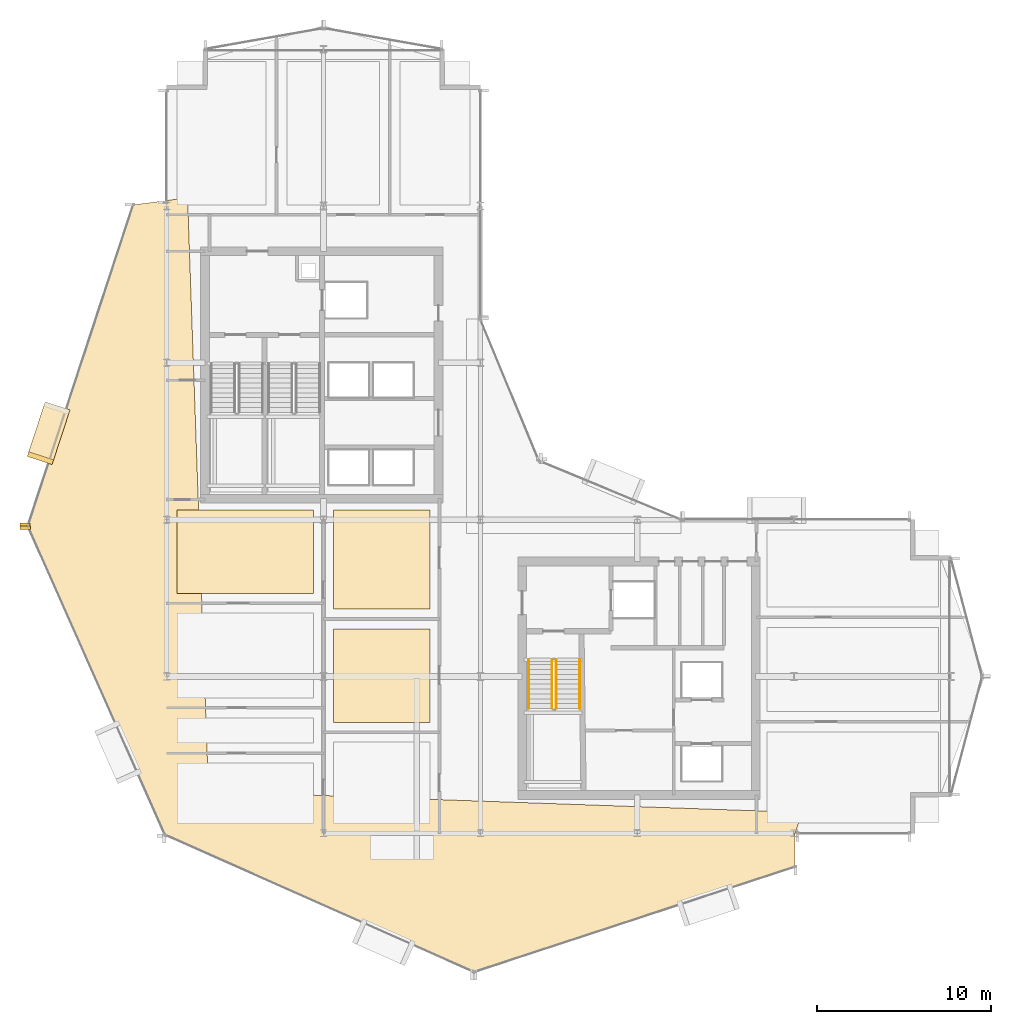
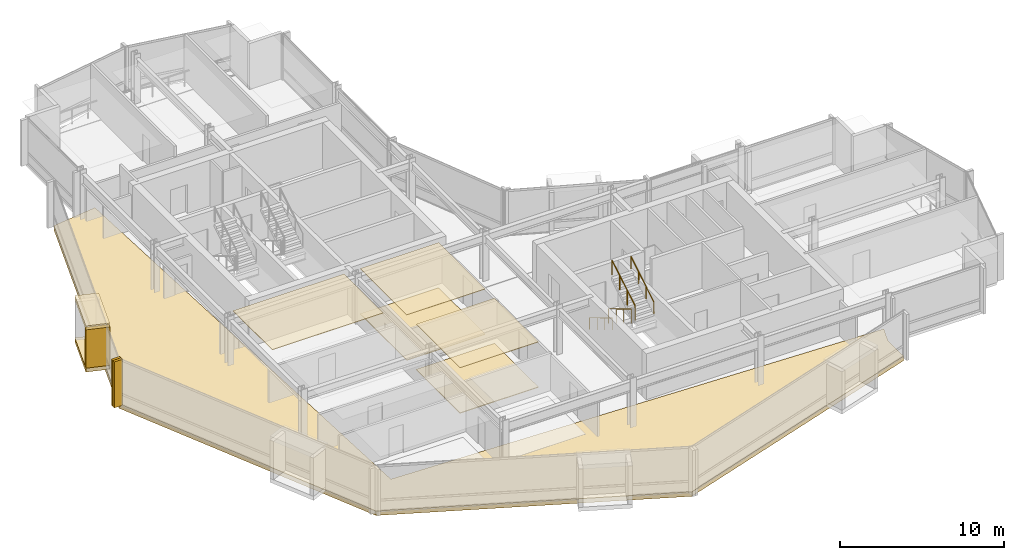
# One storey, part 26 of 29: 11 coverings, 4 railings.
"""IFC4 building model written with IfcOpenShell, lengths in metres."""

from ifc_helpers import new_model, si_unit, direction, frame, origin, origin_2d, place, context, subcontext, project, spatial, polyline, rectangle, circle, outline, extrude, material, layer, layer_set, type_object, element, save


model = new_model("IFC4")

# Units and contexts
model_context = context("Model", 3, precision=1e-05, world=origin(), true_north=direction((0.0, 1.0)))
body_context = subcontext(model_context, "Body", "Model", "MODEL_VIEW")
ifc_project = project(units=[si_unit("LENGTHUNIT", "METRE"), si_unit("AREAUNIT", "SQUARE_METRE"), si_unit("VOLUMEUNIT", "CUBIC_METRE"), si_unit("PLANEANGLEUNIT", "RADIAN"), si_unit("MASSUNIT", "GRAM", prefix="KILO")], contexts=[model_context])

# Site, building, storey
site_placement = place(None, origin())
site = spatial("IfcSite", under=ifc_project, at=site_placement, CompositionType="ELEMENT")
building_placement = place(site_placement, origin())
building = spatial("IfcBuilding", under=site, at=building_placement, Name="Solvaryn Broadcast Tower", CompositionType="ELEMENT")
storey_placement = place(building_placement, frame((0.0, 0.0, 161.800048828125)))
storey = spatial("IfcBuildingStorey", under=building, at=storey_placement, Name="L40", CompositionType="ELEMENT", Elevation=161.800048828125)

# Coverings
ifc_material_1 = material(Name="Micro-Perforated Acoustic Gypsum Ceiling", Category="concrete")
ifc_layer_1 = layer(ifc_material_1, 0.0400390625)
ifc_layer_set_1 = layer_set([ifc_layer_1], Name="CV-CEIL-ACOUSTIC")
covering_type_1 = type_object("IfcCoveringType", Name="CV-CEIL-ACOUSTIC", PredefinedType="CEILING", material=ifc_layer_set_1)
covering_1_placement = place(storey_placement, frame((0.0, 0.0, 3.3798828125)))
element("IfcCovering", 1, at=covering_1_placement, inside=storey, type_object=covering_type_1, Name="L40 Room Acoustic Ceiling 2", PredefinedType="CEILING", context=body_context, shape_type="SweptSolid", body=[
    extrude(outline(polyline([(18.570068359375, 15.3701171875), (24.10009765625, 15.3701171875), (24.10009765625, 20.72998046875), (18.570068359375, 20.72998046875), (18.570068359375, 15.3701171875)])), origin(), (0.0, 0.0, 1.0), 0.0400390625),
])
covering_2_placement = place(storey_placement, frame((0.0, 0.0, 3.3798828125)))
element("IfcCovering", 2, at=covering_2_placement, inside=storey, type_object=covering_type_1, Name="L40 Room Acoustic Ceiling 3", PredefinedType="CEILING", context=body_context, shape_type="SweptSolid", body=[
    extrude(outline(polyline([(18.570068359375, 21.8701171875), (24.10009765625, 21.8701171875), (24.10009765625, 27.56005859375), (18.570068359375, 27.56005859375), (18.570068359375, 21.8701171875)])), origin(), (0.0, 0.0, 1.0), 0.0400390625),
])
covering_3_placement = place(storey_placement, frame((0.0, 0.0, 3.3798828125)))
element("IfcCovering", 3, at=covering_3_placement, inside=storey, type_object=covering_type_1, Name="L40 Room Acoustic Ceiling 7", PredefinedType="CEILING", context=body_context, shape_type="SweptSolid", body=[
    extrude(outline(polyline([(9.60009765625, 22.77001953125), (17.429931640625, 22.77001953125), (17.429931640625, 27.56005859375), (9.60009765625, 27.56005859375), (9.60009765625, 22.77001953125)])), origin(), (0.0, 0.0, 1.0), 0.0400390625),
])
ifc_material_2 = material(Name="Newsroom Raised Data Access Flooring", Category="steel")
ifc_layer_2 = layer(ifc_material_2, 0.050048828125)
ifc_layer_set_2 = layer_set([ifc_layer_2], Name="CV-FLOOR-RAISED")
covering_type_2 = type_object("IfcCoveringType", Name="CV-FLOOR-RAISED", PredefinedType="FLOORING", material=ifc_layer_set_2)
covering_4_placement = place(storey_placement, origin())
element("IfcCovering", 4, at=covering_4_placement, inside=storey, type_object=covering_type_2, Name="L40 Room Acoustic Floor Finish 2", PredefinedType="FLOORING", context=body_context, shape_type="SweptSolid", body=[
    extrude(outline(polyline([(18.570068359375, 15.3701171875), (24.10009765625, 15.3701171875), (24.10009765625, 20.72998046875), (18.570068359375, 20.72998046875), (18.570068359375, 15.3701171875)])), origin(), (0.0, 0.0, 1.0), 0.050048828125),
])
covering_5_placement = place(storey_placement, origin())
element("IfcCovering", 5, at=covering_5_placement, inside=storey, type_object=covering_type_2, Name="L40 Room Acoustic Floor Finish 3", PredefinedType="FLOORING", context=body_context, shape_type="SweptSolid", body=[
    extrude(outline(polyline([(18.570068359375, 21.8701171875), (24.10009765625, 21.8701171875), (24.10009765625, 27.56005859375), (18.570068359375, 27.56005859375), (18.570068359375, 21.8701171875)])), origin(), (0.0, 0.0, 1.0), 0.050048828125),
])
ifc_material_3 = material(Name="Glazed Architectural Terracotta Rainscreen Cladding", Category="masonry")
ifc_layer_3 = layer(ifc_material_3, 0.280029296875)
ifc_layer_set_3 = layer_set([ifc_layer_3], Name="CV-TC-CLAD")
covering_type_3 = type_object("IfcCoveringType", Name="CV-TC-CLAD", PredefinedType="CLADDING", material=ifc_layer_set_3)
for number, where, z_axis, x_axis, name in (
    (6, (2.222900390625, 31.9619140625, 3.1298828125), (0.0, 0.0, 1.0), (-0.311671636848, -0.950189870912, 0.0), "L40 Projecting Stone Window Box Hood 1"),
    (7, (2.222900390625, 31.9619140625, -0.01025390625), (0.0, 0.0, 1.0), (-0.311671636848, -0.950189870912, 0.0), "L40 Projecting Stone Window Box Sill 1"),
):
    element("IfcCovering", number, at=place(storey_placement, frame(where, z_axis=z_axis, x_axis=x_axis)), inside=storey, type_object=covering_type_3, Name=name, PredefinedType="CLADDING", context=body_context, shape_type="SweptSolid", body=[
        extrude(rectangle(XDim=3.300048828125, YDim=1.5, at=origin_2d()), origin(), (0.0, 0.0, 1.0), 0.300048828125),
    ])
covering_6_placement = place(storey_placement, frame((1.75244140625, 30.527099609375, 0.27978515625), z_axis=(0.0, 0.0, 1.0), x_axis=(-0.311671636848, -0.950189870912, 0.0)))
element("IfcCovering", 8, at=covering_6_placement, inside=storey, type_object=covering_type_3, Name="L40 Projecting Stone Window Box Cheek 1-2", PredefinedType="CLADDING", context=body_context, shape_type="SweptSolid", body=[
    extrude(rectangle(XDim=0.280029296875, YDim=1.5, at=origin_2d()), origin(), (0.0, 0.0, 1.0), 2.860107421875),
])
ifc_material_4 = material(Name="Extruded Architectural Terracotta Fin", Category="masonry")
ifc_layer_4 = layer(ifc_material_4, 0.179931640625)
ifc_layer_set_4 = layer_set([ifc_layer_4], Name="CV-TC-FIN")
covering_type_4 = type_object("IfcCoveringType", Name="CV-TC-FIN", PredefinedType="USERDEFINED", material=ifc_layer_set_4)
for number, where, z_axis, x_axis, name in (
    (9, (0.872314453125, 26.720703125, 0.0), (0.0, 0.0, 1.0), (1.0, 0.0, 0.0), "L40 Terracotta Vertical Fin FIN-L40-DR1-M01"),
    (10, (0.8818359375, 26.535888671875, 0.0), (0.0, 0.0, 1.0), (1.0, 0.0, 0.0), "L40 Terracotta Vertical Fin FIN-L40-DR2-M00"),
):
    element("IfcCovering", number, at=place(storey_placement, frame(where, z_axis=z_axis, x_axis=x_axis)), inside=storey, type_object=covering_type_4, Name=name, ObjectType="FIN", PredefinedType="USERDEFINED", context=body_context, shape_type="SweptSolid", body=[
        extrude(rectangle(XDim=0.580078125, YDim=0.179931640625, at=origin_2d()), origin(), (0.0, 0.0, 1.0), 3.419921875),
    ])
ifc_material_5 = material(Name="Sculpted Architectural Terracotta Wave Fascia", Category="masonry")
ifc_layer_5 = layer(ifc_material_5, 0.340087890625)
ifc_layer_set_5 = layer_set([ifc_layer_5], Name="CV-WAVE-TRAY")
covering_type_5 = type_object("IfcCoveringType", Name="CV-WAVE-TRAY", PredefinedType="CLADDING", material=ifc_layer_set_5)
covering_7_placement = place(storey_placement, frame((0.0, 0.0, -0.300048828125)))
element("IfcCovering", 11, at=covering_7_placement, inside=storey, type_object=covering_type_5, Name="L40 Stepped Cylindrical Drum Floor Apron", PredefinedType="CLADDING", context=body_context, shape_type="SweptSolid", body=[
    extrude(outline(polyline([(10.199951171875, 45.467041015625), (7.0791015625, 45.06689453125), (1.033935546875, 26.635986328125), (8.907958984375, 8.907958984375), (26.635986328125, 1.033935546875), (45.06689453125, 7.0791015625), (45.06689453125, 9.0), (45.467041015625, 10.199951171875), (11.39990234375, 11.39990234375), (10.199951171875, 45.467041015625)])), origin(), (0.0, 0.0, 1.0), 0.330078125),
])

# Railings
ifc_material_6 = material(Name="Painted Steel Stair Well Guard", Category="steel")
railing_type_1 = type_object("IfcRailingType", Name="RL-STAIR-GUARD", PredefinedType="BALUSTRADE", material=ifc_material_6)
railing_1_placement = place(storey_placement, frame((31.110107421875, 18.9599609375, 0.168212890625)))
element("IfcRailing", 12, at=railing_1_placement, inside=storey, type_object=railing_type_1, Name="L40 ST3 stair guard 1", PredefinedType="BALUSTRADE", context=body_context, shape_type="SweptSolid", body=[
    extrude(circle(Radius=0.02392578125, at=origin_2d()), frame((0.0, 0.0, 1.076171875), z_axis=(0.0, -0.857275202839, 0.514858452973), x_axis=(1.0, 0.0, 0.0)), (0.0, 0.0, 1.0), 3.26611328125),
    extrude(circle(Radius=0.02099609375, at=origin_2d()), origin(), (0.0, 0.0, 1.0), 1.052001953125),
    extrude(circle(Radius=0.02099609375, at=origin_2d()), frame((0.0, -0.933349609375, 0.560546875)), (0.0, 0.0, 1.0), 1.052001953125),
    extrude(circle(Radius=0.02099609375, at=origin_2d()), frame((0.0, -1.86669921875, 1.12109375)), (0.0, 0.0, 1.0), 1.052001953125),
    extrude(circle(Radius=0.02099609375, at=origin_2d()), frame((0.0, -2.800048828125, 1.681640625)), (0.0, 0.0, 1.0), 1.052001953125),
])
railing_2_placement = place(storey_placement, frame((31.360107421875, 16.159912109375, 2.01806640625)))
element("IfcRailing", 13, at=railing_2_placement, inside=storey, type_object=railing_type_1, Name="L40 ST3 stair guard 3", PredefinedType="BALUSTRADE", context=body_context, shape_type="SweptSolid", body=[
    extrude(circle(Radius=0.02392578125, at=origin_2d()), frame((0.0, 0.0, 1.076171875), z_axis=(0.0, 0.857242210791, 0.514913383045), x_axis=(-1.0, 0.0, 0.0)), (0.0, 0.0, 1.0), 3.266357421875),
    extrude(circle(Radius=0.02099609375, at=origin_2d()), origin(), (0.0, 0.0, 1.0), 1.052001953125),
    extrude(circle(Radius=0.02099609375, at=origin_2d()), frame((0.0, 0.933349609375, 0.560546875)), (0.0, 0.0, 1.0), 1.052001953125),
    extrude(circle(Radius=0.02099609375, at=origin_2d()), frame((0.0, 1.86669921875, 1.121337890625)), (0.0, 0.0, 1.0), 1.052001953125),
    extrude(circle(Radius=0.02099609375, at=origin_2d()), frame((0.0, 2.800048828125, 1.681884765625)), (0.0, 0.0, 1.0), 1.052001953125),
])
ifc_material_7 = material(Name="Brushed Stainless Steel Tubular Handrail", Category="steel")
railing_type_2 = type_object("IfcRailingType", Name="RL-STAIR-HANDRAIL", PredefinedType="HANDRAIL", material=ifc_material_7)
railing_3_placement = place(storey_placement, frame((29.77001953125, 18.9599609375, 0.168212890625)))
element("IfcRailing", 14, at=railing_3_placement, inside=storey, type_object=railing_type_2, Name="L40 ST3 stair handrail 1", PredefinedType="HANDRAIL", context=body_context, shape_type="SweptSolid", body=[
    extrude(circle(Radius=0.02392578125, at=origin_2d()), frame((0.0, 0.0, 0.8759765625), z_axis=(0.0, -0.857275202839, 0.514858452973), x_axis=(1.0, 0.0, 0.0)), (0.0, 0.0, 1.0), 3.26611328125),
    extrude(circle(Radius=0.02099609375, at=origin_2d()), origin(), (0.0, 0.0, 1.0), 0.851806640625),
    extrude(circle(Radius=0.02099609375, at=origin_2d()), frame((0.0, -0.933349609375, 0.560546875)), (0.0, 0.0, 1.0), 0.851806640625),
    extrude(circle(Radius=0.02099609375, at=origin_2d()), frame((0.0, -1.86669921875, 1.12109375)), (0.0, 0.0, 1.0), 0.851806640625),
    extrude(circle(Radius=0.02099609375, at=origin_2d()), frame((0.0, -2.800048828125, 1.681640625)), (0.0, 0.0, 1.0), 0.851806640625),
])
railing_4_placement = place(storey_placement, frame((32.699951171875, 16.159912109375, 2.01806640625)))
element("IfcRailing", 15, at=railing_4_placement, inside=storey, type_object=railing_type_2, Name="L40 ST3 stair handrail 2", PredefinedType="HANDRAIL", context=body_context, shape_type="SweptSolid", body=[
    extrude(circle(Radius=0.02392578125, at=origin_2d()), frame((0.0, 0.0, 0.8759765625), z_axis=(0.0, 0.857242210791, 0.514913383045), x_axis=(-1.0, 0.0, 0.0)), (0.0, 0.0, 1.0), 3.266357421875),
    extrude(circle(Radius=0.02099609375, at=origin_2d()), origin(), (0.0, 0.0, 1.0), 0.851806640625),
    extrude(circle(Radius=0.02099609375, at=origin_2d()), frame((0.0, 0.933349609375, 0.560546875)), (0.0, 0.0, 1.0), 0.851806640625),
    extrude(circle(Radius=0.02099609375, at=origin_2d()), frame((0.0, 1.86669921875, 1.121337890625)), (0.0, 0.0, 1.0), 0.851806640625),
    extrude(circle(Radius=0.02099609375, at=origin_2d()), frame((0.0, 2.800048828125, 1.681884765625)), (0.0, 0.0, 1.0), 0.851806640625),
])

save(model, "model.ifc")
